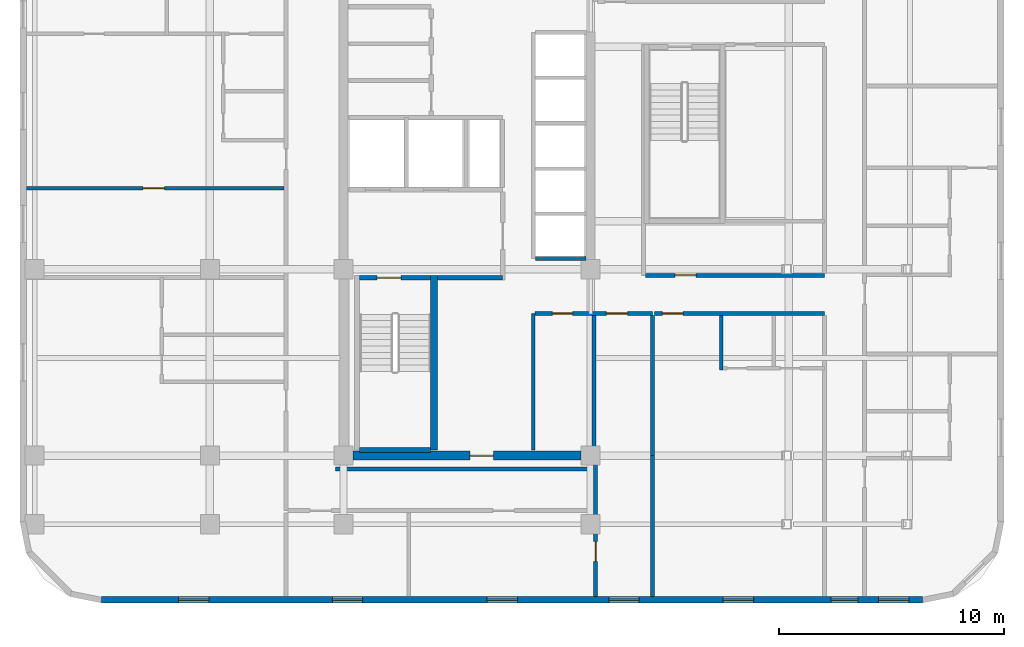
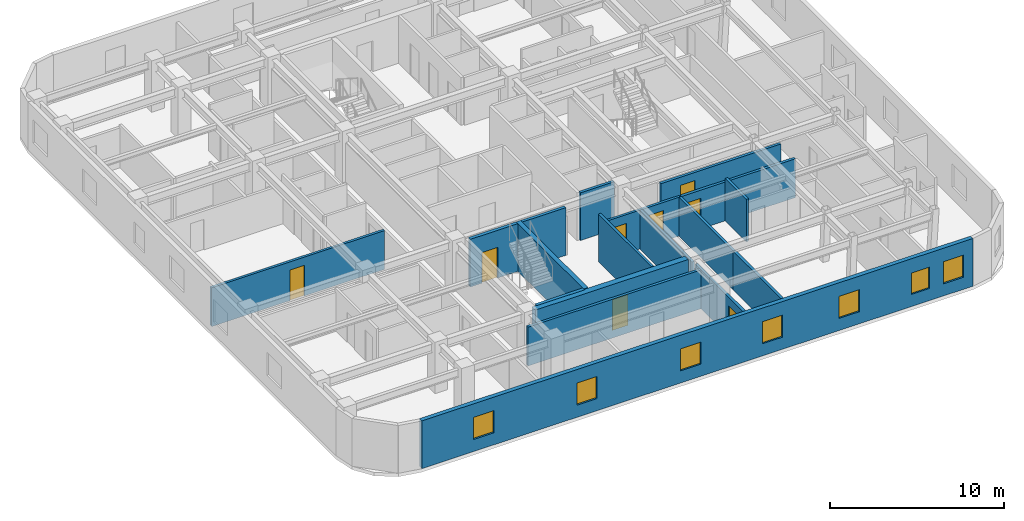
# One storey, part 3 of 9: 18 walls, 8 doors, 7 windows, 15 openings.
"""IFC4 building model written with IfcOpenShell, lengths in metres."""

from ifc_helpers import new_model, si_unit, direction, frame, frame_2d, origin, place, context, subcontext, project, spatial, rectangle, extrude, material, layer, layer_set, type_object, element, fill, save


model = new_model("IFC4")

# Units and contexts
model_context = context("Model", 3, precision=1e-05, world=origin(), true_north=direction((0.0, 1.0)))
body_context = subcontext(model_context, "Body", "Model", "MODEL_VIEW")
ifc_project = project(units=[si_unit("LENGTHUNIT", "METRE"), si_unit("AREAUNIT", "SQUARE_METRE"), si_unit("VOLUMEUNIT", "CUBIC_METRE"), si_unit("PLANEANGLEUNIT", "RADIAN"), si_unit("MASSUNIT", "GRAM", prefix="KILO")], contexts=[model_context])

# Site, building, storey
site_placement = place(None, origin())
site = spatial("IfcSite", under=ifc_project, at=site_placement, CompositionType="ELEMENT")
building_placement = place(site_placement, origin())
building = spatial("IfcBuilding", under=site, at=building_placement, Name="Ochreholt Gables", CompositionType="ELEMENT")
storey_placement = place(building_placement, frame((0.0, 0.0, 113.39990234375)))
storey = spatial("IfcBuildingStorey", under=building, at=storey_placement, Name="L29", CompositionType="ELEMENT", Elevation=113.39990234375)

# Wall, opening, door
ifc_material_1 = material(Name="Concrete 60 MPa", Category="concrete")
ifc_layer_1 = layer(ifc_material_1, 0.39990234375, Name="Concrete 60 MPa")
ifc_layer_set_1 = layer_set([ifc_layer_1], Name="Concrete 60 MPa")
wall_type_1 = type_object("IfcWallType", Name="WALL-CSW-400", PredefinedType="SHEAR", material=ifc_layer_set_1)
wall_1_placement = place(storey_placement, frame((24.625, 9.25, 0.0), z_axis=(0.0, 0.0, 1.0), x_axis=(1.0, 0.0, 0.0)))
wall_1 = element("IfcWall", 1, at=wall_1_placement, inside=storey, type_object=wall_type_1, Name="L29 Core South Shear Wall", PredefinedType="SHEAR", context=body_context, shape_type="SweptSolid", body=[
    extrude(rectangle(XDim=10.14990234375, YDim=0.39990234375, at=frame_2d((5.074951171875, 0.0))), origin(), (0.0, 0.0, 1.0), 3.35009765625),
])
opening_1_placement = place(wall_1_placement, frame((5.199951171875, 0.0, 0.0)))
opening_1 = element("IfcOpeningElement", 2, at=opening_1_placement, cuts=wall_1, Name="Opening D-FLB", PredefinedType="OPENING", context=body_context, shape_type="SweptSolid", body=[
    extrude(rectangle(XDim=1.050048828125, YDim=2.14990234375, at=frame_2d((0.52490234375, 1.074951171875))), frame((0.0, 0.2099609375, 0.0), z_axis=(0.0, -1.0, 0.0), x_axis=(1.0, 0.0, 0.0)), (0.0, 0.0, 1.0), 0.419921875),
])
ifc_material_2 = material(Name="Hollow Metal Steel", Category="steel")
door_type_1 = type_object("IfcDoorType", Name="DR-INT-FLB1050", OperationType="NOTDEFINED", PredefinedType="DOOR", material=ifc_material_2)
door_1_placement = place(opening_1_placement, origin())
door_1 = element("IfcDoor", 3, at=door_1_placement, inside=storey, type_object=door_type_1, Name="L29 Door D-C2CRS-L29", OperationType="SINGLE_SWING_LEFT", OverallHeight=2.14990234375, OverallWidth=1.050048828125, PredefinedType="DOOR", context=body_context, shape_type="SweptSolid", body=[
    extrude(rectangle(XDim=1.050048828125, YDim=2.14990234375, at=frame_2d((0.52490234375, 1.074951171875))), frame((0.0, 0.02490234375, 0.0), z_axis=(0.0, -1.0, 0.0), x_axis=(1.0, 0.0, 0.0)), (0.0, 0.0, 1.0), 0.050048828125),
])
fill(opening_1, door_1)

# Wall, openings, windows
ifc_material_3 = material(Name="Precast concrete 40 MPa", Category="concrete")
ifc_layer_2 = layer(ifc_material_3, 0.280029296875, Name="Precast concrete 40 MPa")
ifc_layer_set_2 = layer_set([ifc_layer_2], Name="Precast concrete 40 MPa")
wall_type_2 = type_object("IfcWallType", Name="WALL-EXT-280", PredefinedType="SOLIDWALL", material=ifc_layer_set_2)
wall_2_placement = place(storey_placement, frame((13.419921875, 2.840087890625, 0.0), z_axis=(0.0, 0.0, 1.0), x_axis=(1.0, 0.0, 0.0)))
wall_2 = element("IfcWall", 4, at=wall_2_placement, inside=storey, type_object=wall_type_2, Name="L29 South Exterior Wall", PredefinedType="SOLIDWALL", context=body_context, shape_type="SweptSolid", body=[
    extrude(rectangle(XDim=36.56005859375, YDim=0.280029296875, at=frame_2d((18.280029296875, 0.0))), origin(), (0.0, 0.0, 1.0), 3.35009765625),
])
opening_2_placement = place(wall_2_placement, frame((3.43994140625, 0.0, 0.85009765625)))
opening_2 = element("IfcOpeningElement", 5, at=opening_2_placement, cuts=wall_2, Name="Opening WN-8", PredefinedType="OPENING", context=body_context, shape_type="SweptSolid", body=[
    extrude(rectangle(XDim=1.35009765625, YDim=1.550048828125, at=frame_2d((0.675048828125, 0.77490234375))), frame((0.0, 0.14990234375, 0.0), z_axis=(0.0, -1.0, 0.0), x_axis=(1.0, 0.0, 0.0)), (0.0, 0.0, 1.0), 0.300048828125),
])
opening_3_placement = place(wall_2_placement, frame((10.280029296875, 0.0, 0.85009765625)))
opening_3 = element("IfcOpeningElement", 6, at=opening_3_placement, cuts=wall_2, Name="Opening WN-8", PredefinedType="OPENING", context=body_context, shape_type="SweptSolid", body=[
    extrude(rectangle(XDim=1.35009765625, YDim=1.550048828125, at=frame_2d((0.675048828125, 0.77490234375))), frame((0.0, 0.14990234375, 0.0), z_axis=(0.0, -1.0, 0.0), x_axis=(1.0, 0.0, 0.0)), (0.0, 0.0, 1.0), 0.300048828125),
])
opening_4_placement = place(wall_2_placement, frame((17.1650390625, 0.0, 0.85009765625)))
opening_4 = element("IfcOpeningElement", 7, at=opening_4_placement, cuts=wall_2, Name="Opening WN-8", PredefinedType="OPENING", context=body_context, shape_type="SweptSolid", body=[
    extrude(rectangle(XDim=1.35009765625, YDim=1.550048828125, at=frame_2d((0.675048828125, 0.77490234375))), frame((0.0, 0.14990234375, 0.0), z_axis=(0.0, -1.0, 0.0), x_axis=(1.0, 0.0, 0.0)), (0.0, 0.0, 1.0), 0.300048828125),
])
opening_5_placement = place(wall_2_placement, frame((22.590087890625, 0.0, 0.85009765625)))
opening_5 = element("IfcOpeningElement", 8, at=opening_5_placement, cuts=wall_2, Name="Opening WN-8", PredefinedType="OPENING", context=body_context, shape_type="SweptSolid", body=[
    extrude(rectangle(XDim=1.35009765625, YDim=1.550048828125, at=frame_2d((0.675048828125, 0.77490234375))), frame((0.0, 0.14990234375, 0.0), z_axis=(0.0, -1.0, 0.0), x_axis=(1.0, 0.0, 0.0)), (0.0, 0.0, 1.0), 0.300048828125),
])
opening_6_placement = place(wall_2_placement, frame((27.679931640625, 0.0, 0.85009765625)))
opening_6 = element("IfcOpeningElement", 9, at=opening_6_placement, cuts=wall_2, Name="Opening WN-8", PredefinedType="OPENING", context=body_context, shape_type="SweptSolid", body=[
    extrude(rectangle(XDim=1.35009765625, YDim=1.550048828125, at=frame_2d((0.675048828125, 0.77490234375))), frame((0.0, 0.14990234375, 0.0), z_axis=(0.0, -1.0, 0.0), x_axis=(1.0, 0.0, 0.0)), (0.0, 0.0, 1.0), 0.300048828125),
])
opening_7_placement = place(wall_2_placement, frame((32.47998046875, 0.0, 0.85009765625)))
opening_7 = element("IfcOpeningElement", 10, at=opening_7_placement, cuts=wall_2, Name="Opening WN-3", PredefinedType="OPENING", context=body_context, shape_type="SweptSolid", body=[
    extrude(rectangle(XDim=1.199951171875, YDim=1.5, at=frame_2d((0.60009765625, 0.75))), frame((0.0, 0.14990234375, 0.0), z_axis=(0.0, -1.0, 0.0), x_axis=(1.0, 0.0, 0.0)), (0.0, 0.0, 1.0), 0.300048828125),
])
opening_8_placement = place(wall_2_placement, frame((34.594970703125, 0.0, 0.85009765625)))
opening_8 = element("IfcOpeningElement", 11, at=opening_8_placement, cuts=wall_2, Name="Opening WN-8", PredefinedType="OPENING", context=body_context, shape_type="SweptSolid", body=[
    extrude(rectangle(XDim=1.35009765625, YDim=1.550048828125, at=frame_2d((0.675048828125, 0.77490234375))), frame((0.0, 0.14990234375, 0.0), z_axis=(0.0, -1.0, 0.0), x_axis=(1.0, 0.0, 0.0)), (0.0, 0.0, 1.0), 0.300048828125),
])
ifc_material_4 = material(Name="Triple-Glazed Thermally Broken Aluminium Window", Category="aluminium")
window_type_1 = type_object("IfcWindowType", Name="WIN-RES-1200", PartitioningType="SINGLE_PANEL", PredefinedType="WINDOW", material=ifc_material_4)
window_1_placement = place(opening_7_placement, origin())
window_1 = element("IfcWindow", 12, at=window_1_placement, inside=storey, type_object=window_type_1, Name="L29 Window W-EXT-S-L29-6", OverallHeight=1.5, OverallWidth=1.199951171875, PartitioningType="SINGLE_PANEL", PredefinedType="WINDOW", context=body_context, shape_type="SweptSolid", body=[
    extrude(rectangle(XDim=1.199951171875, YDim=1.5, at=frame_2d((0.60009765625, 0.75))), frame((0.0, 0.030029296875, 0.0), z_axis=(0.0, -1.0, 0.0), x_axis=(1.0, 0.0, 0.0)), (0.0, 0.0, 1.0), 0.06005859375),
])
fill(opening_7, window_1)
window_type_2 = type_object("IfcWindowType", Name="WIN-RES-1350", PartitioningType="SINGLE_PANEL", PredefinedType="WINDOW", material=ifc_material_4)
window_2_placement = place(opening_2_placement, origin())
window_2 = element("IfcWindow", 13, at=window_2_placement, inside=storey, type_object=window_type_2, Name="L29 Window W-EXT-S-L29-1", OverallHeight=1.550048828125, OverallWidth=1.35009765625, PartitioningType="SINGLE_PANEL", PredefinedType="WINDOW", context=body_context, shape_type="SweptSolid", body=[
    extrude(rectangle(XDim=1.35009765625, YDim=1.550048828125, at=frame_2d((0.675048828125, 0.77490234375))), frame((0.0, 0.030029296875, 0.0), z_axis=(0.0, -1.0, 0.0), x_axis=(1.0, 0.0, 0.0)), (0.0, 0.0, 1.0), 0.06005859375),
])
fill(opening_2, window_2)
window_3_placement = place(opening_3_placement, origin())
window_3 = element("IfcWindow", 14, at=window_3_placement, inside=storey, type_object=window_type_2, Name="L29 Window W-EXT-S-L29-2", OverallHeight=1.550048828125, OverallWidth=1.35009765625, PartitioningType="SINGLE_PANEL", PredefinedType="WINDOW", context=body_context, shape_type="SweptSolid", body=[
    extrude(rectangle(XDim=1.35009765625, YDim=1.550048828125, at=frame_2d((0.675048828125, 0.77490234375))), frame((0.0, 0.030029296875, 0.0), z_axis=(0.0, -1.0, 0.0), x_axis=(1.0, 0.0, 0.0)), (0.0, 0.0, 1.0), 0.06005859375),
])
fill(opening_3, window_3)
window_4_placement = place(opening_4_placement, origin())
window_4 = element("IfcWindow", 15, at=window_4_placement, inside=storey, type_object=window_type_2, Name="L29 Window W-EXT-S-L29-3", OverallHeight=1.550048828125, OverallWidth=1.35009765625, PartitioningType="SINGLE_PANEL", PredefinedType="WINDOW", context=body_context, shape_type="SweptSolid", body=[
    extrude(rectangle(XDim=1.35009765625, YDim=1.550048828125, at=frame_2d((0.675048828125, 0.77490234375))), frame((0.0, 0.030029296875, 0.0), z_axis=(0.0, -1.0, 0.0), x_axis=(1.0, 0.0, 0.0)), (0.0, 0.0, 1.0), 0.06005859375),
])
fill(opening_4, window_4)
window_5_placement = place(opening_5_placement, origin())
window_5 = element("IfcWindow", 16, at=window_5_placement, inside=storey, type_object=window_type_2, Name="L29 Window W-EXT-S-L29-4", OverallHeight=1.550048828125, OverallWidth=1.35009765625, PartitioningType="SINGLE_PANEL", PredefinedType="WINDOW", context=body_context, shape_type="SweptSolid", body=[
    extrude(rectangle(XDim=1.35009765625, YDim=1.550048828125, at=frame_2d((0.675048828125, 0.77490234375))), frame((0.0, 0.030029296875, 0.0), z_axis=(0.0, -1.0, 0.0), x_axis=(1.0, 0.0, 0.0)), (0.0, 0.0, 1.0), 0.06005859375),
])
fill(opening_5, window_5)
window_6_placement = place(opening_6_placement, origin())
window_6 = element("IfcWindow", 17, at=window_6_placement, inside=storey, type_object=window_type_2, Name="L29 Window W-EXT-S-L29-5", OverallHeight=1.550048828125, OverallWidth=1.35009765625, PartitioningType="SINGLE_PANEL", PredefinedType="WINDOW", context=body_context, shape_type="SweptSolid", body=[
    extrude(rectangle(XDim=1.35009765625, YDim=1.550048828125, at=frame_2d((0.675048828125, 0.77490234375))), frame((0.0, 0.030029296875, 0.0), z_axis=(0.0, -1.0, 0.0), x_axis=(1.0, 0.0, 0.0)), (0.0, 0.0, 1.0), 0.06005859375),
])
fill(opening_6, window_6)
window_7_placement = place(opening_8_placement, origin())
window_7 = element("IfcWindow", 18, at=window_7_placement, inside=storey, type_object=window_type_2, Name="L29 Window W-EXT-S-L29-7", OverallHeight=1.550048828125, OverallWidth=1.35009765625, PartitioningType="SINGLE_PANEL", PredefinedType="WINDOW", context=body_context, shape_type="SweptSolid", body=[
    extrude(rectangle(XDim=1.35009765625, YDim=1.550048828125, at=frame_2d((0.675048828125, 0.77490234375))), frame((0.0, 0.030029296875, 0.0), z_axis=(0.0, -1.0, 0.0), x_axis=(1.0, 0.0, 0.0)), (0.0, 0.0, 1.0), 0.06005859375),
])
fill(opening_8, window_7)

# Wall
ifc_material_5 = material(Name="Concrete 40 MPa", Category="concrete")
ifc_layer_3 = layer(ifc_material_5, 0.199951171875, Name="Concrete 40 MPa")
ifc_layer_set_3 = layer_set([ifc_layer_3], Name="Concrete 40 MPa")
wall_type_3 = type_object("IfcWallType", Name="WALL-INT-CF200", PredefinedType="STANDARD", material=ifc_layer_set_3)
wall_3_placement = place(storey_placement, frame((28.3798828125, 17.169921875, 0.0), z_axis=(0.0, 0.0, 1.0), x_axis=(1.0, 0.0, 0.0)))
element("IfcWall", 19, at=wall_3_placement, inside=storey, type_object=wall_type_3, Name="L29 Interior Wall WI-FFS-L29", PredefinedType="STANDARD", context=body_context, shape_type="SweptSolid", body=[
    extrude(rectangle(XDim=2.900146484375, YDim=0.199951171875, at=frame_2d((1.4501953125, 0.0))), origin(), (0.0, 0.0, 1.0), 3.35009765625),
])

# Wall, opening, door
ifc_material_6 = material(Name="Fire-Rated Gypsum Acoustic Partition", Category="gypsum")
ifc_layer_4 = layer(ifc_material_6, 0.179931640625, Name="Fire-Rated Gypsum Acoustic Partition")
ifc_layer_set_4 = layer_set([ifc_layer_4], Name="Fire-Rated Gypsum Acoustic Partition")
wall_type_4 = type_object("IfcWallType", Name="WALL-INT-CR180", PredefinedType="STANDARD", material=ifc_layer_set_4)
wall_4_placement = place(storey_placement, frame((38.032470703125, 15.580078125, 0.0), z_axis=(0.0, 0.0, 1.0), x_axis=(1.0, 0.0, 0.0)))
wall_4 = element("IfcWall", 20, at=wall_4_placement, inside=storey, type_object=wall_type_4, Name="L29 Interior Wall WI-C2SS1-L29", PredefinedType="STANDARD", context=body_context, shape_type="SweptSolid", body=[
    extrude(rectangle(XDim=7.567626953125, YDim=0.179931640625, at=frame_2d((3.78369140625, 0.0))), origin(), (0.0, 0.0, 1.0), 2.72119140625),
])
opening_9_placement = place(wall_4_placement, frame((0.357421875, 0.0, 0.0)))
opening_9 = element("IfcOpeningElement", 21, at=opening_9_placement, cuts=wall_4, Name="Opening D-UN1", PredefinedType="OPENING", context=body_context, shape_type="SweptSolid", body=[
    extrude(rectangle(XDim=0.919921875, YDim=2.14990234375, at=frame_2d((0.4599609375, 1.074951171875))), frame((0.0, 0.099853515625, 0.0), z_axis=(0.0, -1.0, 0.0), x_axis=(1.0, 0.0, 0.0)), (0.0, 0.0, 1.0), 0.199951171875),
])
ifc_material_7 = material(Name="Engineered Oak Timber", Category="wood")
door_type_2 = type_object("IfcDoorType", Name="DR-INT-UNT920", OperationType="NOTDEFINED", PredefinedType="DOOR", material=ifc_material_7)
door_2_placement = place(opening_9_placement, origin())
door_2 = element("IfcDoor", 22, at=door_2_placement, inside=storey, type_object=door_type_2, Name="L29 Door D-U-L29S1-ENT", OperationType="SINGLE_SWING_RIGHT", OverallHeight=2.14990234375, OverallWidth=0.919921875, PredefinedType="DOOR", context=body_context, shape_type="SweptSolid", body=[
    extrude(rectangle(XDim=0.919921875, YDim=2.14990234375, at=frame_2d((0.4599609375, 1.074951171875))), frame((0.0, 0.02490234375, 0.0), z_axis=(0.0, -1.0, 0.0), x_axis=(1.0, 0.0, 0.0)), (0.0, 0.0, 1.0), 0.050048828125),
])
fill(opening_9, door_2)

wall_5_placement = place(storey_placement, frame((37.639892578125, 17.280029296875, 0.0), z_axis=(0.0, 0.0, 1.0), x_axis=(1.0, 0.0, 0.0)))
wall_5 = element("IfcWall", 23, at=wall_5_placement, inside=storey, type_object=wall_type_4, Name="L29 Interior Wall WI-C2SS2-L29", PredefinedType="STANDARD", context=body_context, shape_type="SweptSolid", body=[
    extrude(rectangle(XDim=7.960205078125, YDim=0.179931640625, at=frame_2d((3.97998046875, 0.0))), origin(), (0.0, 0.0, 1.0), 2.72119140625),
])
opening_10_placement = place(wall_5_placement, frame((1.31005859375, 0.0, 0.0)))
opening_10 = element("IfcOpeningElement", 24, at=opening_10_placement, cuts=wall_5, Name="Opening D-GN1", PredefinedType="OPENING", context=body_context, shape_type="SweptSolid", body=[
    extrude(rectangle(XDim=0.949951171875, YDim=2.14990234375, at=frame_2d((0.47509765625, 1.074951171875))), frame((0.0, 0.099853515625, 0.0), z_axis=(0.0, -1.0, 0.0), x_axis=(1.0, 0.0, 0.0)), (0.0, 0.0, 1.0), 0.199951171875),
])
door_type_3 = type_object("IfcDoorType", Name="DR-INT-GEN950", OperationType="NOTDEFINED", PredefinedType="DOOR", material=ifc_material_7)
door_3_placement = place(opening_10_placement, origin())
door_3 = element("IfcDoor", 25, at=door_3_placement, inside=storey, type_object=door_type_3, Name="L29 Door D-C2FSL-L29", OperationType="SINGLE_SWING_LEFT", OverallHeight=2.14990234375, OverallWidth=0.949951171875, PredefinedType="DOOR", context=body_context, shape_type="SweptSolid", body=[
    extrude(rectangle(XDim=0.949951171875, YDim=2.14990234375, at=frame_2d((0.47509765625, 1.074951171875))), frame((0.0, 0.02490234375, 0.0), z_axis=(0.0, -1.0, 0.0), x_axis=(1.0, 0.0, 0.0)), (0.0, 0.0, 1.0), 0.050048828125),
])
fill(opening_10, door_3)

# Wall
wall_6_placement = place(storey_placement, frame((23.85009765625, 8.64990234375, 0.0), z_axis=(0.0, 0.0, 1.0), x_axis=(1.0, 0.0, 0.0)))
element("IfcWall", 26, at=wall_6_placement, inside=storey, type_object=wall_type_4, Name="L29 Interior Wall WI-C2WCS2-L29", PredefinedType="STANDARD", context=body_context, shape_type="SweptSolid", body=[
    extrude(rectangle(XDim=11.56982421875, YDim=0.179931640625, at=frame_2d((5.784912109375, 0.0))), origin(), (0.0, 0.0, 1.0), 2.72119140625),
])

# Wall, opening, door
ifc_material_8 = material(Name="Double-Stud Acoustic Demising Wall", Category="gypsum")
ifc_layer_5 = layer(ifc_material_8, 0.179931640625, Name="Double-Stud Acoustic Demising Wall")
ifc_layer_set_5 = layer_set([ifc_layer_5], Name="Double-Stud Acoustic Demising Wall")
wall_type_5 = type_object("IfcWallType", Name="WALL-INT-DM180", PredefinedType="PARTITIONING", material=ifc_layer_set_5)
wall_7_placement = place(storey_placement, frame((35.419921875, 2.97998046875, 0.0), z_axis=(0.0, 0.0, 1.0), x_axis=(0.0, 1.0, 0.0)))
wall_7 = element("IfcWall", 27, at=wall_7_placement, inside=storey, type_object=wall_type_5, Name="L29 Interior Wall WI-C2SES-L29", PredefinedType="PARTITIONING", context=body_context, shape_type="SweptSolid", body=[
    extrude(rectangle(XDim=6.27001953125, YDim=0.179931640625, at=frame_2d((3.135009765625, 0.0))), origin(), (0.0, 0.0, 1.0), 2.72119140625),
])
opening_11_placement = place(wall_7_placement, frame((1.570068359375, 0.0, 0.0)))
opening_11 = element("IfcOpeningElement", 28, at=opening_11_placement, cuts=wall_7, Name="Opening D-GN2", PredefinedType="OPENING", context=body_context, shape_type="SweptSolid", body=[
    extrude(rectangle(XDim=0.8798828125, YDim=2.1201171875, at=frame_2d((0.43994140625, 1.06005859375))), frame((0.0, 0.099853515625, 0.0), z_axis=(0.0, -1.0, 0.0), x_axis=(1.0, 0.0, 0.0)), (0.0, 0.0, 1.0), 0.199951171875),
])
door_type_4 = type_object("IfcDoorType", Name="DR-INT-GEN880", OperationType="NOTDEFINED", PredefinedType="DOOR", material=ifc_material_7)
door_4_placement = place(opening_11_placement, origin())
door_4 = element("IfcDoor", 29, at=door_4_placement, inside=storey, type_object=door_type_4, Name="L29 Door D-C2SPS-L29", OperationType="SINGLE_SWING_LEFT", OverallHeight=2.1201171875, OverallWidth=0.8798828125, PredefinedType="DOOR", context=body_context, shape_type="SweptSolid", body=[
    extrude(rectangle(XDim=0.8798828125, YDim=2.1201171875, at=frame_2d((0.43994140625, 1.06005859375))), frame((0.0, 0.02490234375, 0.0), z_axis=(0.0, -1.0, 0.0), x_axis=(1.0, 0.0, 0.0)), (0.0, 0.0, 1.0), 0.050048828125),
])
fill(opening_11, door_4)

# Walls
wall_8_placement = place(storey_placement, frame((37.949951171875, 2.97998046875, 0.0), z_axis=(0.0, 0.0, 1.0), x_axis=(0.0, 1.0, 0.0)))
element("IfcWall", 30, at=wall_8_placement, inside=storey, type_object=wall_type_5, Name="L29 Interior Wall WI-C2SEW2-L29", PredefinedType="PARTITIONING", context=body_context, shape_type="SweptSolid", body=[
    extrude(rectangle(XDim=6.27001953125, YDim=0.179931640625, at=frame_2d((3.135009765625, 0.0))), origin(), (0.0, 0.0, 1.0), 2.72119140625),
])
ifc_material_9 = material(Name="Moisture-Resistant Plumbing Chase Wall", Category="gypsum")
ifc_layer_6 = layer(ifc_material_9, 0.159912109375, Name="Moisture-Resistant Plumbing Chase Wall")
ifc_layer_set_6 = layer_set([ifc_layer_6], Name="Moisture-Resistant Plumbing Chase Wall")
wall_type_6 = type_object("IfcWallType", Name="WALL-INT-PL160", PredefinedType="PLUMBINGWALL", material=ifc_layer_set_6)
wall_9_placement = place(storey_placement, frame((41.010009765625, 13.06005859375, 0.0), z_axis=(0.0, 0.0, 1.0), x_axis=(0.0, 1.0, 0.0)))
element("IfcWall", 31, at=wall_9_placement, inside=storey, type_object=wall_type_6, Name="L29 Interior Wall WU-L29S1-FY", PredefinedType="PLUMBINGWALL", context=body_context, shape_type="SweptSolid", body=[
    extrude(rectangle(XDim=2.429931640625, YDim=0.159912109375, at=frame_2d((1.21484375, 0.0))), origin(), (0.0, 0.0, 1.0), 2.97802734375),
])
ifc_material_10 = material(Name="Gypsum Acoustic Stud Partition", Category="gypsum")
ifc_layer_7 = layer(ifc_material_10, 0.1650390625, Name="Gypsum Acoustic Stud Partition")
ifc_layer_set_7 = layer_set([ifc_layer_7], Name="Gypsum Acoustic Stud Partition")
wall_type_7 = type_object("IfcWallType", Name="WALL-INT-PT165", PredefinedType="PARTITIONING", material=ifc_layer_set_7)
wall_10_placement = place(storey_placement, frame((32.64990234375, 9.5, 0.0), z_axis=(0.0, 0.0, 1.0), x_axis=(0.0, 1.0, 0.0)))
element("IfcWall", 32, at=wall_10_placement, inside=storey, type_object=wall_type_7, Name="L29 Interior Wall WI-RCL-W-L29", PredefinedType="PARTITIONING", context=body_context, shape_type="SweptSolid", body=[
    extrude(rectangle(XDim=6.080078125, YDim=0.1650390625, at=frame_2d((3.0400390625, 0.0))), origin(), (0.0, 0.0, 1.0), 3.35009765625),
])

# Wall, openings, doors
wall_11_placement = place(storey_placement, frame((32.732421875, 15.580078125, 0.0), z_axis=(0.0, 0.0, 1.0), x_axis=(1.0, 0.0, 0.0)))
wall_11 = element("IfcWall", 33, at=wall_11_placement, inside=storey, type_object=wall_type_7, Name="L29 Interior Wall WI-RCL-N-L29", PredefinedType="PARTITIONING", context=body_context, shape_type="SweptSolid", body=[
    extrude(rectangle(XDim=5.217529296875, YDim=0.1650390625, at=frame_2d((2.60888671875, 0.0))), origin(), (0.0, 0.0, 1.0), 2.72119140625),
])
opening_12_placement = place(wall_11_placement, frame((0.767578125, 0.0, 0.0)))
opening_12 = element("IfcOpeningElement", 34, at=opening_12_placement, cuts=wall_11, Name="Opening D-SV1", PredefinedType="OPENING", context=body_context, shape_type="SweptSolid", body=[
    extrude(rectangle(XDim=0.89990234375, YDim=2.10009765625, at=frame_2d((0.449951171875, 1.050048828125))), frame((0.0, 0.092529296875, 0.0), z_axis=(0.0, -1.0, 0.0), x_axis=(1.0, 0.0, 0.0)), (0.0, 0.0, 1.0), 0.18505859375),
])
opening_13_placement = place(wall_11_placement, frame((3.16748046875, 0.0, 0.0)))
opening_13 = element("IfcOpeningElement", 35, at=opening_13_placement, cuts=wall_11, Name="Opening D-GN1", PredefinedType="OPENING", context=body_context, shape_type="SweptSolid", body=[
    extrude(rectangle(XDim=0.949951171875, YDim=2.14990234375, at=frame_2d((0.47509765625, 1.074951171875))), frame((0.0, 0.092529296875, 0.0), z_axis=(0.0, -1.0, 0.0), x_axis=(1.0, 0.0, 0.0)), (0.0, 0.0, 1.0), 0.18505859375),
])
door_5_placement = place(opening_13_placement, origin())
door_5 = element("IfcDoor", 36, at=door_5_placement, inside=storey, type_object=door_type_3, Name="L29 Door D-RCL2-L29", OperationType="SINGLE_SWING_RIGHT", OverallHeight=2.14990234375, OverallWidth=0.949951171875, PredefinedType="DOOR", context=body_context, shape_type="SweptSolid", body=[
    extrude(rectangle(XDim=0.949951171875, YDim=2.14990234375, at=frame_2d((0.47509765625, 1.074951171875))), frame((0.0, 0.02490234375, 0.0), z_axis=(0.0, -1.0, 0.0), x_axis=(1.0, 0.0, 0.0)), (0.0, 0.0, 1.0), 0.050048828125),
])
fill(opening_13, door_5)
door_type_5 = type_object("IfcDoorType", Name="DR-INT-SRV900", OperationType="NOTDEFINED", PredefinedType="DOOR", material=ifc_material_2)
door_6_placement = place(opening_12_placement, origin())
door_6 = element("IfcDoor", 37, at=door_6_placement, inside=storey, type_object=door_type_5, Name="L29 Door D-RCL1-L29", OperationType="SINGLE_SWING_LEFT", OverallHeight=2.10009765625, OverallWidth=0.89990234375, PredefinedType="DOOR", context=body_context, shape_type="SweptSolid", body=[
    extrude(rectangle(XDim=0.89990234375, YDim=2.10009765625, at=frame_2d((0.449951171875, 1.050048828125))), frame((0.0, 0.02490234375, 0.0), z_axis=(0.0, -1.0, 0.0), x_axis=(1.0, 0.0, 0.0)), (0.0, 0.0, 1.0), 0.050048828125),
])
fill(opening_12, door_6)

# Walls
wall_12_placement = place(storey_placement, frame((37.949951171875, 9.25, 0.0), z_axis=(0.0, 0.0, 1.0), x_axis=(0.0, 1.0, 0.0)))
element("IfcWall", 38, at=wall_12_placement, inside=storey, type_object=wall_type_7, Name="L29 Interior Wall WI-RCL-E-L29", PredefinedType="PARTITIONING", context=body_context, shape_type="SweptSolid", body=[
    extrude(rectangle(XDim=6.24755859375, YDim=0.1650390625, at=frame_2d((3.123779296875, 0.0))), origin(), (0.0, 0.0, 1.0), 2.72119140625),
])
wall_13_placement = place(storey_placement, frame((35.35009765625, 9.5, 0.0), z_axis=(0.0, 0.0, 1.0), x_axis=(0.0, 1.0, 0.0)))
element("IfcWall", 39, at=wall_13_placement, inside=storey, type_object=wall_type_7, Name="L29 Interior Wall WI-RCL-DV-L29", PredefinedType="PARTITIONING", context=body_context, shape_type="SweptSolid", body=[
    extrude(rectangle(XDim=5.99755859375, YDim=0.1650390625, at=frame_2d((2.998779296875, 0.0))), origin(), (0.0, 0.0, 1.0), 2.72119140625),
])

# Wall, opening, door
wall_14_placement = place(storey_placement, frame((10.080078125, 21.148681640625, 0.0), z_axis=(0.0, 0.0, 1.0), x_axis=(1.0, 0.0, 0.0)))
wall_14 = element("IfcWall", 40, at=wall_14_placement, inside=storey, type_object=wall_type_7, Name="L29 Interior Wall WU-L29W2-DNW", PredefinedType="PARTITIONING", context=body_context, shape_type="SweptSolid", body=[
    extrude(rectangle(XDim=11.47998046875, YDim=0.1650390625, at=frame_2d((5.739990234375, 0.0))), origin(), (0.0, 0.0, 1.0), 2.72119140625),
])
opening_14_placement = place(wall_14_placement, frame((5.195068359375, 0.0, 0.0)))
opening_14 = element("IfcOpeningElement", 41, at=opening_14_placement, cuts=wall_14, Name="Opening D-GN1", PredefinedType="OPENING", context=body_context, shape_type="SweptSolid", body=[
    extrude(rectangle(XDim=0.949951171875, YDim=2.14990234375, at=frame_2d((0.47509765625, 1.074951171875))), frame((0.0, 0.092529296875, 0.0), z_axis=(0.0, -1.0, 0.0), x_axis=(1.0, 0.0, 0.0)), (0.0, 0.0, 1.0), 0.18505859375),
])
door_7_placement = place(opening_14_placement, origin())
door_7 = element("IfcDoor", 42, at=door_7_placement, inside=storey, type_object=door_type_3, Name="L29 Door D-U-L29W2-DIN", OperationType="SINGLE_SWING_RIGHT", OverallHeight=2.14990234375, OverallWidth=0.949951171875, PredefinedType="DOOR", context=body_context, shape_type="SweptSolid", body=[
    extrude(rectangle(XDim=0.949951171875, YDim=2.14990234375, at=frame_2d((0.47509765625, 1.074951171875))), frame((0.0, 0.02490234375, 0.0), z_axis=(0.0, -1.0, 0.0), x_axis=(1.0, 0.0, 0.0)), (0.0, 0.0, 1.0), 0.050048828125),
])
fill(opening_14, door_7)

# Walls
ifc_material_11 = material(Name="Gypsum Shaftliner and Steel Stud", Category="steel")
ifc_layer_8 = layer(ifc_material_11, 0.179931640625, Name="Gypsum Shaftliner and Steel Stud")
ifc_layer_set_8 = layer_set([ifc_layer_8], Name="Gypsum Shaftliner and Steel Stud")
wall_type_8 = type_object("IfcWallType", Name="WALL-INT-SH180", PredefinedType="STANDARD", material=ifc_layer_set_8)
wall_15_placement = place(storey_placement, frame((32.739990234375, 18.02001953125, 0.0), z_axis=(0.0, 0.0, 1.0), x_axis=(1.0, 0.0, 0.0)))
element("IfcWall", 43, at=wall_15_placement, inside=storey, type_object=wall_type_8, Name="L29 Interior Wall WI-LFHE-S-L29", PredefinedType="STANDARD", context=body_context, shape_type="SweptSolid", body=[
    extrude(rectangle(XDim=2.260009765625, YDim=0.179931640625, at=frame_2d((1.1298828125, 0.0))), origin(), (0.0, 0.0, 1.0), 3.35009765625),
])
ifc_layer_9 = layer(ifc_material_1, 0.300048828125, Name="Concrete 60 MPa")
ifc_layer_set_9 = layer_set([ifc_layer_9], Name="Concrete 60 MPa")
wall_type_9 = type_object("IfcWallType", Name="WALL-SPN-300", PredefinedType="SHEAR", material=ifc_layer_set_9)
wall_16_placement = place(storey_placement, frame((28.22998046875, 9.5, 0.0), z_axis=(0.0, 0.0, 1.0), x_axis=(0.0, 1.0, 0.0)))
element("IfcWall", 44, at=wall_16_placement, inside=storey, type_object=wall_type_9, Name="L29 Core South Spine Shear Wall", PredefinedType="SHEAR", context=body_context, shape_type="SweptSolid", body=[
    extrude(rectangle(XDim=7.760009765625, YDim=0.300048828125, at=frame_2d((3.8798828125, 0.0))), origin(), (0.0, 0.0, 1.0), 3.35009765625),
])
ifc_material_12 = material(Name="Concrete 50 MPa", Category="concrete")
ifc_layer_10 = layer(ifc_material_12, 0.219970703125, Name="Concrete 50 MPa")
ifc_layer_set_10 = layer_set([ifc_layer_10], Name="Concrete 50 MPa")
wall_type_10 = type_object("IfcWallType", Name="WALL-STW-220", PredefinedType="SHEAR", material=ifc_layer_set_10)
wall_17_placement = place(storey_placement, frame((24.919921875, 9.510009765625, 0.0), z_axis=(0.0, 0.0, 1.0), x_axis=(1.0, 0.0, 0.0)))
element("IfcWall", 45, at=wall_17_placement, inside=storey, type_object=wall_type_10, Name="L29 Exit Stair 1 South Wall", PredefinedType="SHEAR", context=body_context, shape_type="SweptSolid", body=[
    extrude(rectangle(XDim=3.16015625, YDim=0.219970703125, at=frame_2d((1.580078125, 0.0))), origin(), (0.0, 0.0, 1.0), 3.35009765625),
])

# Wall, opening, door
wall_18_placement = place(storey_placement, frame((24.919921875, 17.169921875, 0.0), z_axis=(0.0, 0.0, 1.0), x_axis=(1.0, 0.0, 0.0)))
wall_18 = element("IfcWall", 46, at=wall_18_placement, inside=storey, type_object=wall_type_10, Name="L29 Exit Stair 1 North Wall", PredefinedType="SHEAR", context=body_context, shape_type="SweptSolid", body=[
    extrude(rectangle(XDim=3.16015625, YDim=0.219970703125, at=frame_2d((1.580078125, 0.0))), origin(), (0.0, 0.0, 1.0), 3.35009765625),
])
opening_15_placement = place(wall_18_placement, frame((0.780029296875, 0.0, 0.0)))
opening_15 = element("IfcOpeningElement", 47, at=opening_15_placement, cuts=wall_18, Name="Opening D-STC", PredefinedType="OPENING", context=body_context, shape_type="SweptSolid", body=[
    extrude(rectangle(XDim=1.050048828125, YDim=2.14990234375, at=frame_2d((0.52490234375, 1.074951171875))), frame((0.0, 0.119873046875, 0.0), z_axis=(0.0, -1.0, 0.0), x_axis=(1.0, 0.0, 0.0)), (0.0, 0.0, 1.0), 0.239990234375),
])
door_type_6 = type_object("IfcDoorType", Name="DR-INT-ST1050", OperationType="NOTDEFINED", PredefinedType="DOOR", material=ifc_material_2)
door_8_placement = place(opening_15_placement, frame((1.050048828125, 0.0, 0.0), z_axis=(0.0, 0.0, 1.0), x_axis=(-1.0, 0.0, 0.0)))
door_8 = element("IfcDoor", 48, at=door_8_placement, inside=storey, type_object=door_type_6, Name="L29 Door D-ST1-L29", OperationType="SINGLE_SWING_LEFT", OverallHeight=2.14990234375, OverallWidth=1.050048828125, PredefinedType="DOOR", context=body_context, shape_type="SweptSolid", body=[
    extrude(rectangle(XDim=1.050048828125, YDim=2.14990234375, at=frame_2d((0.52490234375, 1.074951171875))), frame((0.0, 0.02490234375, 0.0), z_axis=(0.0, -1.0, 0.0), x_axis=(1.0, 0.0, 0.0)), (0.0, 0.0, 1.0), 0.050048828125),
])
fill(opening_15, door_8)

save(model, "model.ifc")
